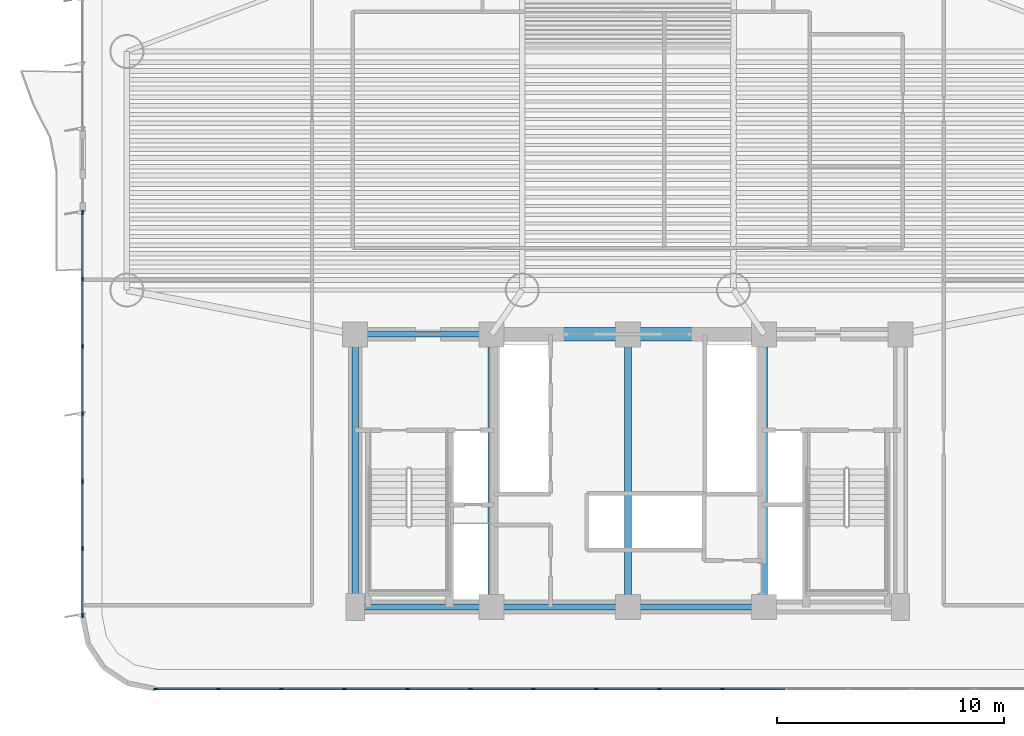
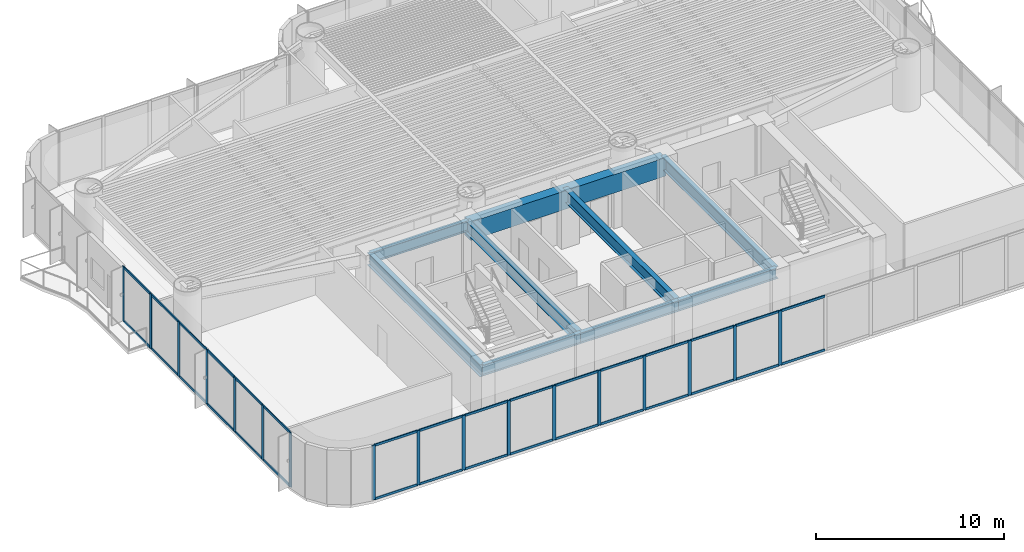
# One storey, part 2 of 16: 49 members, 9 beams, 2 elements without a shape of their own.
"""IFC4 building model written with IfcOpenShell, lengths in metres."""

from ifc_helpers import new_model, si_unit, direction, frame, origin, origin_2d, place, context, subcontext, project, spatial, rectangle, i_section, extrude, source, transform, mapped, material, layer, layer_set, material_profile, profile_set, type_object, element, aggregate, save


model = new_model("IFC4")

# Units and contexts
model_context = context("Model", 3, precision=1e-05, world=origin(), true_north=direction((0.0, 1.0)))
body_context = subcontext(model_context, "Body", "Model", "MODEL_VIEW")
ifc_project = project(units=[si_unit("LENGTHUNIT", "METRE"), si_unit("AREAUNIT", "SQUARE_METRE"), si_unit("VOLUMEUNIT", "CUBIC_METRE"), si_unit("PLANEANGLEUNIT", "RADIAN"), si_unit("MASSUNIT", "GRAM", prefix="KILO")], contexts=[model_context])

# Site, building, storey
site_placement = place(None, origin())
site = spatial("IfcSite", under=ifc_project, at=site_placement, CompositionType="ELEMENT")
building_placement = place(site_placement, origin())
building = spatial("IfcBuilding", under=site, at=building_placement, Name="Brelvock Crest Care Tower", CompositionType="ELEMENT")
storey_placement = place(building_placement, frame((0.0, 0.0, 61.02001953125)))
storey = spatial("IfcBuildingStorey", under=building, at=storey_placement, Name="L15", CompositionType="ELEMENT", Elevation=61.02001953125)

# Beams
ifc_material_1 = material(Name="Concrete S80 (80 MPa)", Category="concrete")
ifc_material_profile_1 = material_profile(ifc_material_1, rectangle(XDim=0.60009765625, YDim=1.199951171875, at=origin_2d()), Name="RC600x1200")
ifc_profile_set_1 = profile_set([ifc_material_profile_1], Name="Concrete S80 (80 MPa)")
beam_type_1 = type_object("IfcBeamType", Name="BM-LN1", PredefinedType="LINTEL", material=ifc_profile_set_1)
shared_shape_1 = source(origin(), body_context, "Body", "SweptSolid", [
    extrude(rectangle(XDim=0.60009765625, YDim=1.199951171875, at=origin_2d()), origin(), (0.0, 0.0, 1.0), 12.0),
])
beam_placement = place(storey_placement, frame((30.0, 18.0, 2.929931640625), z_axis=(1.0, 0.0, 0.0), x_axis=(0.0, 1.0, 0.0)))
element("IfcBeam", 1, at=beam_placement, inside=storey, type_object=beam_type_1, Name="L15 Core Coupling Lintel Beam", PredefinedType="LINTEL", context=body_context, shape_type="MappedRepresentation", body=[
    mapped(shared_shape_1, transform((0.0, 0.0, 0.0), x_axis=(1.0, 0.0, 0.0), y_axis=(0.0, 1.0, 0.0), z_axis=(0.0, 0.0, 1.0), scale=1.0)),
])
ifc_material_2 = material(Name="Steel Grade 350", Category="steel")
ifc_material_profile_2 = material_profile(ifc_material_2, i_section(OverallWidth=0.25, OverallDepth=0.699951171875, WebThickness=0.011962890625, FlangeThickness=0.02001953125, at=origin_2d()), Name="700WB150")
ifc_profile_set_2 = profile_set([ifc_material_profile_2], Name="Steel Grade 350")
beam_type_2 = type_object("IfcBeamType", Name="BM-G4", PredefinedType="BEAM", material=ifc_profile_set_2)
shared_shape_2 = source(origin(), body_context, "Body", "SweptSolid", [
    extrude(i_section(OverallWidth=0.25, OverallDepth=0.699951171875, WebThickness=0.011962890625, FlangeThickness=0.02001953125, at=origin_2d()), origin(), (0.0, 0.0, 1.0), 6.0),
])
for number, where, z_axis, x_axis, name in (
    (2, (24.0, 6.0, 3.179931640625), (1.0, 0.0, 0.0), (0.0, 1.0, 0.0), "BM-CORES-L15-1"),
    (3, (24.0, 18.0, 3.179931640625), (1.0, 0.0, 0.0), (0.0, 1.0, 0.0), "BM-COREN-L15-1"),
    (4, (30.0, 6.0, 3.179931640625), (1.0, 0.0, 0.0), (0.0, 1.0, 0.0), "BM-CORES-L15-2"),
    (5, (36.0, 6.0, 3.179931640625), (1.0, 0.0, 0.0), (0.0, 1.0, 0.0), "BM-CORES-L15-3"),
):
    element("IfcBeam", number, at=place(storey_placement, frame(where, z_axis=z_axis, x_axis=x_axis)), inside=storey, type_object=beam_type_2, Name=name, PredefinedType="BEAM", context=body_context, shape_type="MappedRepresentation", body=[
        mapped(shared_shape_2, transform((0.0, 0.0, 0.0), x_axis=(1.0, 0.0, 0.0), y_axis=(0.0, 1.0, 0.0), z_axis=(0.0, 0.0, 1.0), scale=1.0)),
    ])
ifc_material_profile_3 = material_profile(ifc_material_2, i_section(OverallWidth=0.300048828125, OverallDepth=0.800048828125, WebThickness=0.013916015625, FlangeThickness=0.02197265625, at=origin_2d()), Name="800WB192")
ifc_profile_set_3 = profile_set([ifc_material_profile_3], Name="Steel Grade 350")
beam_type_3 = type_object("IfcBeamType", Name="BM-G5", PredefinedType="BEAM", material=ifc_profile_set_3)
shared_shape_3 = source(origin(), body_context, "Body", "SweptSolid", [
    extrude(i_section(OverallWidth=0.300048828125, OverallDepth=0.800048828125, WebThickness=0.013916015625, FlangeThickness=0.02197265625, at=origin_2d()), origin(), (0.0, 0.0, 1.0), 12.0),
])
for number, where, z_axis, x_axis, name in (
    (6, (24.0, 6.0, 3.1298828125), (0.0, 1.0, 0.0), (-1.0, 0.0, 0.0), "BM-COREX-L15-1"),
    (7, (30.0, 6.0, 3.1298828125), (0.0, 1.0, 0.0), (-1.0, 0.0, 0.0), "BM-COREX-L15-2"),
    (8, (36.0, 6.0, 3.1298828125), (0.0, 1.0, 0.0), (-1.0, 0.0, 0.0), "BM-COREX-L15-3"),
    (9, (42.0, 6.0, 3.1298828125), (0.0, 1.0, 0.0), (-1.0, 0.0, 0.0), "BM-COREX-L15-4"),
):
    element("IfcBeam", number, at=place(storey_placement, frame(where, z_axis=z_axis, x_axis=x_axis)), inside=storey, type_object=beam_type_3, Name=name, PredefinedType="BEAM", context=body_context, shape_type="MappedRepresentation", body=[
        mapped(shared_shape_3, transform((0.0, 0.0, 0.0), x_axis=(1.0, 0.0, 0.0), y_axis=(0.0, 1.0, 0.0), z_axis=(0.0, 0.0, 1.0), scale=1.0)),
    ])

# Curtain wall, members
ifc_material_3 = material(Name="Dark Glass Double Glazed Low-E", Category="glass")
ifc_layer = layer(ifc_material_3, 0.195068359375, Name="CWS-2")
ifc_layer_set = layer_set([ifc_layer], Name="Dark Glass Double Glazed Low-E")
curtain_wall_type = type_object("IfcCurtainWallType", Name="CWS-2", PredefinedType="NOTDEFINED", material=ifc_layer_set)
curtain_wall_1_placement = place(storey_placement, origin())
curtain_wall_1 = element("IfcCurtainWall", 10, at=curtain_wall_1_placement, inside=storey, type_object=curtain_wall_type, Name="L15 Curtain Wall E08", PredefinedType="NOTDEFINED")
ifc_material_4 = material(Name="Aluminium 6063-T6", Category="aluminium")
ifc_material_profile_4 = material_profile(ifc_material_4, rectangle(XDim=0.06494140625, YDim=0.199951171875, at=origin_2d()), Name="ALU65x200")
ifc_profile_set_4 = profile_set([ifc_material_profile_4], Name="Aluminium 6063-T6")
member_type_1 = type_object("IfcMemberType", Name="CWM-1", PredefinedType="MULLION", material=ifc_profile_set_4)
shared_shape_4 = source(origin(), body_context, "Body", "SweptSolid", [
    extrude(rectangle(XDim=0.06494140625, YDim=0.199951171875, at=origin_2d()), origin(), (0.0, 0.0, 1.0), 3.530029296875),
])
member_1_placement = place(storey_placement, frame((40.159912109375, 2.39990234375, 0.0), z_axis=(0.0, 0.0, 1.0), x_axis=(0.0, -1.0, 0.0)))
member_1 = element("IfcMember", 11, at=member_1_placement, type_object=member_type_1, Name="CW-2 mullion 7", PredefinedType="MULLION", context=body_context, shape_type="MappedRepresentation", body=[
    mapped(shared_shape_4, transform((0.0, 0.0, 0.0), x_axis=(1.0, 0.0, 0.0), y_axis=(0.0, 1.0, 0.0), z_axis=(0.0, 0.0, 1.0), scale=1.0)),
])
member_2_placement = place(storey_placement, frame((37.38671875, 2.39990234375, 0.0), z_axis=(0.0, 0.0, 1.0), x_axis=(0.0, -1.0, 0.0)))
member_2 = element("IfcMember", 12, at=member_2_placement, type_object=member_type_1, Name="CW-2 mullion 8", PredefinedType="MULLION", context=body_context, shape_type="MappedRepresentation", body=[
    mapped(shared_shape_4, transform((0.0, 0.0, 0.0), x_axis=(1.0, 0.0, 0.0), y_axis=(0.0, 1.0, 0.0), z_axis=(0.0, 0.0, 1.0), scale=1.0)),
])
member_3_placement = place(storey_placement, frame((34.61328125, 2.39990234375, 0.0), z_axis=(0.0, 0.0, 1.0), x_axis=(0.0, -1.0, 0.0)))
member_3 = element("IfcMember", 13, at=member_3_placement, type_object=member_type_1, Name="CW-2 mullion 9", PredefinedType="MULLION", context=body_context, shape_type="MappedRepresentation", body=[
    mapped(shared_shape_4, transform((0.0, 0.0, 0.0), x_axis=(1.0, 0.0, 0.0), y_axis=(0.0, 1.0, 0.0), z_axis=(0.0, 0.0, 1.0), scale=1.0)),
])
member_4_placement = place(storey_placement, frame((31.840087890625, 2.39990234375, 0.0), z_axis=(0.0, 0.0, 1.0), x_axis=(0.0, -1.0, 0.0)))
member_4 = element("IfcMember", 14, at=member_4_placement, type_object=member_type_1, Name="CW-2 mullion 10", PredefinedType="MULLION", context=body_context, shape_type="MappedRepresentation", body=[
    mapped(shared_shape_4, transform((0.0, 0.0, 0.0), x_axis=(1.0, 0.0, 0.0), y_axis=(0.0, 1.0, 0.0), z_axis=(0.0, 0.0, 1.0), scale=1.0)),
])
member_5_placement = place(storey_placement, frame((29.066650390625, 2.39990234375, 0.0), z_axis=(0.0, 0.0, 1.0), x_axis=(0.0, -1.0, 0.0)))
member_5 = element("IfcMember", 15, at=member_5_placement, type_object=member_type_1, Name="CW-2 mullion 11", PredefinedType="MULLION", context=body_context, shape_type="MappedRepresentation", body=[
    mapped(shared_shape_4, transform((0.0, 0.0, 0.0), x_axis=(1.0, 0.0, 0.0), y_axis=(0.0, 1.0, 0.0), z_axis=(0.0, 0.0, 1.0), scale=1.0)),
])
member_6_placement = place(storey_placement, frame((26.293212890625, 2.39990234375, 0.0), z_axis=(0.0, 0.0, 1.0), x_axis=(0.0, -1.0, 0.0)))
member_6 = element("IfcMember", 16, at=member_6_placement, type_object=member_type_1, Name="CW-2 mullion 12", PredefinedType="MULLION", context=body_context, shape_type="MappedRepresentation", body=[
    mapped(shared_shape_4, transform((0.0, 0.0, 0.0), x_axis=(1.0, 0.0, 0.0), y_axis=(0.0, 1.0, 0.0), z_axis=(0.0, 0.0, 1.0), scale=1.0)),
])
member_7_placement = place(storey_placement, frame((23.52001953125, 2.39990234375, 0.0), z_axis=(0.0, 0.0, 1.0), x_axis=(0.0, -1.0, 0.0)))
member_7 = element("IfcMember", 17, at=member_7_placement, type_object=member_type_1, Name="CW-2 mullion 13", PredefinedType="MULLION", context=body_context, shape_type="MappedRepresentation", body=[
    mapped(shared_shape_4, transform((0.0, 0.0, 0.0), x_axis=(1.0, 0.0, 0.0), y_axis=(0.0, 1.0, 0.0), z_axis=(0.0, 0.0, 1.0), scale=1.0)),
])
member_8_placement = place(storey_placement, frame((20.74658203125, 2.39990234375, 0.0), z_axis=(0.0, 0.0, 1.0), x_axis=(0.0, -1.0, 0.0)))
member_8 = element("IfcMember", 18, at=member_8_placement, type_object=member_type_1, Name="CW-2 mullion 14", PredefinedType="MULLION", context=body_context, shape_type="MappedRepresentation", body=[
    mapped(shared_shape_4, transform((0.0, 0.0, 0.0), x_axis=(1.0, 0.0, 0.0), y_axis=(0.0, 1.0, 0.0), z_axis=(0.0, 0.0, 1.0), scale=1.0)),
])
member_9_placement = place(storey_placement, frame((17.973388671875, 2.39990234375, 0.0), z_axis=(0.0, 0.0, 1.0), x_axis=(0.0, -1.0, 0.0)))
member_9 = element("IfcMember", 19, at=member_9_placement, type_object=member_type_1, Name="CW-2 mullion 15", PredefinedType="MULLION", context=body_context, shape_type="MappedRepresentation", body=[
    mapped(shared_shape_4, transform((0.0, 0.0, 0.0), x_axis=(1.0, 0.0, 0.0), y_axis=(0.0, 1.0, 0.0), z_axis=(0.0, 0.0, 1.0), scale=1.0)),
])
member_10_placement = place(storey_placement, frame((15.232421875, 2.39990234375, 0.0), z_axis=(0.0, 0.0, 1.0), x_axis=(0.0, -1.0, 0.0)))
member_10 = element("IfcMember", 20, at=member_10_placement, type_object=member_type_1, Name="CW-2 mullion 16", PredefinedType="MULLION", context=body_context, shape_type="MappedRepresentation", body=[
    mapped(shared_shape_4, transform((0.0, 0.0, 0.0), x_axis=(1.0, 0.0, 0.0), y_axis=(0.0, 1.0, 0.0), z_axis=(0.0, 0.0, 1.0), scale=1.0)),
])

curtain_wall_2_placement = place(storey_placement, origin())
curtain_wall_2 = element("IfcCurtainWall", 21, at=curtain_wall_2_placement, inside=storey, type_object=curtain_wall_type, Name="L15 Curtain Wall E13A", PredefinedType="NOTDEFINED")
member_11_placement = place(storey_placement, frame((12.0, 5.632568359375, 0.0), z_axis=(0.0, 0.0, 1.0), x_axis=(-1.0, 0.0, 0.0)))
member_11 = element("IfcMember", 22, at=member_11_placement, type_object=member_type_1, Name="CW-2 mullion 1", PredefinedType="MULLION", context=body_context, shape_type="MappedRepresentation", body=[
    mapped(shared_shape_4, transform((0.0, 0.0, 0.0), x_axis=(1.0, 0.0, 0.0), y_axis=(0.0, 1.0, 0.0), z_axis=(0.0, 0.0, 1.0), scale=1.0)),
])
member_12_placement = place(storey_placement, frame((12.0, 8.566650390625, 0.0), z_axis=(0.0, 0.0, 1.0), x_axis=(-1.0, 0.0, 0.0)))
member_12 = element("IfcMember", 23, at=member_12_placement, type_object=member_type_1, Name="CW-2 mullion 2", PredefinedType="MULLION", context=body_context, shape_type="MappedRepresentation", body=[
    mapped(shared_shape_4, transform((0.0, 0.0, 0.0), x_axis=(1.0, 0.0, 0.0), y_axis=(0.0, 1.0, 0.0), z_axis=(0.0, 0.0, 1.0), scale=1.0)),
])
member_13_placement = place(storey_placement, frame((12.0, 11.533447265625, 0.0), z_axis=(0.0, 0.0, 1.0), x_axis=(-1.0, 0.0, 0.0)))
member_13 = element("IfcMember", 24, at=member_13_placement, type_object=member_type_1, Name="CW-2 mullion 3", PredefinedType="MULLION", context=body_context, shape_type="MappedRepresentation", body=[
    mapped(shared_shape_4, transform((0.0, 0.0, 0.0), x_axis=(1.0, 0.0, 0.0), y_axis=(0.0, 1.0, 0.0), z_axis=(0.0, 0.0, 1.0), scale=1.0)),
])
member_14_placement = place(storey_placement, frame((12.0, 14.5, 0.0), z_axis=(0.0, 0.0, 1.0), x_axis=(-1.0, 0.0, 0.0)))
member_14 = element("IfcMember", 25, at=member_14_placement, type_object=member_type_1, Name="CW-2 mullion 4", PredefinedType="MULLION", context=body_context, shape_type="MappedRepresentation", body=[
    mapped(shared_shape_4, transform((0.0, 0.0, 0.0), x_axis=(1.0, 0.0, 0.0), y_axis=(0.0, 1.0, 0.0), z_axis=(0.0, 0.0, 1.0), scale=1.0)),
])
member_15_placement = place(storey_placement, frame((12.0, 17.466552734375, 0.0), z_axis=(0.0, 0.0, 1.0), x_axis=(-1.0, 0.0, 0.0)))
member_15 = element("IfcMember", 26, at=member_15_placement, type_object=member_type_1, Name="CW-2 mullion 5", PredefinedType="MULLION", context=body_context, shape_type="MappedRepresentation", body=[
    mapped(shared_shape_4, transform((0.0, 0.0, 0.0), x_axis=(1.0, 0.0, 0.0), y_axis=(0.0, 1.0, 0.0), z_axis=(0.0, 0.0, 1.0), scale=1.0)),
])
member_16_placement = place(storey_placement, frame((12.0, 20.433349609375, 0.0), z_axis=(0.0, 0.0, 1.0), x_axis=(-1.0, 0.0, 0.0)))
member_16 = element("IfcMember", 27, at=member_16_placement, type_object=member_type_1, Name="CW-2 mullion 6", PredefinedType="MULLION", context=body_context, shape_type="MappedRepresentation", body=[
    mapped(shared_shape_4, transform((0.0, 0.0, 0.0), x_axis=(1.0, 0.0, 0.0), y_axis=(0.0, 1.0, 0.0), z_axis=(0.0, 0.0, 1.0), scale=1.0)),
])
member_17_placement = place(storey_placement, frame((12.0, 23.367431640625, 0.0), z_axis=(0.0, 0.0, 1.0), x_axis=(-1.0, 0.0, 0.0)))
member_17 = element("IfcMember", 28, at=member_17_placement, type_object=member_type_1, Name="CW-2 mullion 7", PredefinedType="MULLION", context=body_context, shape_type="MappedRepresentation", body=[
    mapped(shared_shape_4, transform((0.0, 0.0, 0.0), x_axis=(1.0, 0.0, 0.0), y_axis=(0.0, 1.0, 0.0), z_axis=(0.0, 0.0, 1.0), scale=1.0)),
])

# Member
ifc_material_profile_5 = material_profile(ifc_material_4, rectangle(XDim=0.06494140625, YDim=0.14990234375, at=origin_2d()), Name="ALU65x150")
ifc_profile_set_5 = profile_set([ifc_material_profile_5], Name="Aluminium 6063-T6")
member_type_2 = type_object("IfcMemberType", Name="CWT-1", PredefinedType="USERDEFINED", material=ifc_profile_set_5)
shared_shape_5 = source(origin(), body_context, "Body", "SweptSolid", [
    extrude(rectangle(XDim=0.06494140625, YDim=0.14990234375, at=origin_2d()), origin(), (0.0, 0.0, 1.0), 2.676025390625),
])
member_18_placement = place(storey_placement, frame((17.94091796875, 2.39990234375, 0.032470703125), z_axis=(-1.0, 0.0, 0.0), x_axis=(0.0, -1.0, 0.0)))
member_18 = element("IfcMember", 29, at=member_18_placement, type_object=member_type_2, Name="CW-2 transom 15.1", ObjectType="TRANSOM", PredefinedType="USERDEFINED", context=body_context, shape_type="MappedRepresentation", body=[
    mapped(shared_shape_5, transform((0.0, 0.0, 0.0), x_axis=(1.0, 0.0, 0.0), y_axis=(0.0, 1.0, 0.0), z_axis=(0.0, 0.0, 1.0), scale=1.0)),
])

member_19_placement = place(storey_placement, frame((17.94091796875, 2.39990234375, 3.49755859375), z_axis=(-1.0, 0.0, 0.0), x_axis=(0.0, -1.0, 0.0)))
member_19 = element("IfcMember", 30, at=member_19_placement, type_object=member_type_2, Name="CW-2 transom 15.2", ObjectType="TRANSOM", PredefinedType="USERDEFINED", context=body_context, shape_type="MappedRepresentation", body=[
    mapped(shared_shape_5, transform((0.0, 0.0, 0.0), x_axis=(1.0, 0.0, 0.0), y_axis=(0.0, 1.0, 0.0), z_axis=(0.0, 0.0, 1.0), scale=1.0)),
])

shared_shape_6 = source(origin(), body_context, "Body", "SweptSolid", [
    extrude(rectangle(XDim=0.06494140625, YDim=0.14990234375, at=origin_2d()), origin(), (0.0, 0.0, 1.0), 2.708251953125),
])
member_20_placement = place(storey_placement, frame((40.12744140625, 2.39990234375, 0.032470703125), z_axis=(-1.0, 0.0, 0.0), x_axis=(0.0, -1.0, 0.0)))
member_20 = element("IfcMember", 31, at=member_20_placement, type_object=member_type_2, Name="CW-2 transom 7.1", ObjectType="TRANSOM", PredefinedType="USERDEFINED", context=body_context, shape_type="MappedRepresentation", body=[
    mapped(shared_shape_6, transform((0.0, 0.0, 0.0), x_axis=(1.0, 0.0, 0.0), y_axis=(0.0, 1.0, 0.0), z_axis=(0.0, 0.0, 1.0), scale=1.0)),
])

member_21_placement = place(storey_placement, frame((40.12744140625, 2.39990234375, 3.49755859375), z_axis=(-1.0, 0.0, 0.0), x_axis=(0.0, -1.0, 0.0)))
member_21 = element("IfcMember", 32, at=member_21_placement, type_object=member_type_2, Name="CW-2 transom 7.2", ObjectType="TRANSOM", PredefinedType="USERDEFINED", context=body_context, shape_type="MappedRepresentation", body=[
    mapped(shared_shape_6, transform((0.0, 0.0, 0.0), x_axis=(1.0, 0.0, 0.0), y_axis=(0.0, 1.0, 0.0), z_axis=(0.0, 0.0, 1.0), scale=1.0)),
])

member_22_placement = place(storey_placement, frame((34.580810546875, 2.39990234375, 0.032470703125), z_axis=(-1.0, 0.0, 0.0), x_axis=(0.0, -1.0, 0.0)))
member_22 = element("IfcMember", 33, at=member_22_placement, type_object=member_type_2, Name="CW-2 transom 9.1", ObjectType="TRANSOM", PredefinedType="USERDEFINED", context=body_context, shape_type="MappedRepresentation", body=[
    mapped(shared_shape_6, transform((0.0, 0.0, 0.0), x_axis=(1.0, 0.0, 0.0), y_axis=(0.0, 1.0, 0.0), z_axis=(0.0, 0.0, 1.0), scale=1.0)),
])

member_23_placement = place(storey_placement, frame((34.580810546875, 2.39990234375, 3.49755859375), z_axis=(-1.0, 0.0, 0.0), x_axis=(0.0, -1.0, 0.0)))
member_23 = element("IfcMember", 34, at=member_23_placement, type_object=member_type_2, Name="CW-2 transom 9.2", ObjectType="TRANSOM", PredefinedType="USERDEFINED", context=body_context, shape_type="MappedRepresentation", body=[
    mapped(shared_shape_6, transform((0.0, 0.0, 0.0), x_axis=(1.0, 0.0, 0.0), y_axis=(0.0, 1.0, 0.0), z_axis=(0.0, 0.0, 1.0), scale=1.0)),
])

member_24_placement = place(storey_placement, frame((29.0341796875, 2.39990234375, 0.032470703125), z_axis=(-1.0, 0.0, 0.0), x_axis=(0.0, -1.0, 0.0)))
member_24 = element("IfcMember", 35, at=member_24_placement, type_object=member_type_2, Name="CW-2 transom 11.1", ObjectType="TRANSOM", PredefinedType="USERDEFINED", context=body_context, shape_type="MappedRepresentation", body=[
    mapped(shared_shape_6, transform((0.0, 0.0, 0.0), x_axis=(1.0, 0.0, 0.0), y_axis=(0.0, 1.0, 0.0), z_axis=(0.0, 0.0, 1.0), scale=1.0)),
])

member_25_placement = place(storey_placement, frame((29.0341796875, 2.39990234375, 3.49755859375), z_axis=(-1.0, 0.0, 0.0), x_axis=(0.0, -1.0, 0.0)))
member_25 = element("IfcMember", 36, at=member_25_placement, type_object=member_type_2, Name="CW-2 transom 11.2", ObjectType="TRANSOM", PredefinedType="USERDEFINED", context=body_context, shape_type="MappedRepresentation", body=[
    mapped(shared_shape_6, transform((0.0, 0.0, 0.0), x_axis=(1.0, 0.0, 0.0), y_axis=(0.0, 1.0, 0.0), z_axis=(0.0, 0.0, 1.0), scale=1.0)),
])

member_26_placement = place(storey_placement, frame((26.2607421875, 2.39990234375, 0.032470703125), z_axis=(-1.0, 0.0, 0.0), x_axis=(0.0, -1.0, 0.0)))
member_26 = element("IfcMember", 37, at=member_26_placement, type_object=member_type_2, Name="CW-2 transom 12.1", ObjectType="TRANSOM", PredefinedType="USERDEFINED", context=body_context, shape_type="MappedRepresentation", body=[
    mapped(shared_shape_6, transform((0.0, 0.0, 0.0), x_axis=(1.0, 0.0, 0.0), y_axis=(0.0, 1.0, 0.0), z_axis=(0.0, 0.0, 1.0), scale=1.0)),
])

member_27_placement = place(storey_placement, frame((26.2607421875, 2.39990234375, 3.49755859375), z_axis=(-1.0, 0.0, 0.0), x_axis=(0.0, -1.0, 0.0)))
member_27 = element("IfcMember", 38, at=member_27_placement, type_object=member_type_2, Name="CW-2 transom 12.2", ObjectType="TRANSOM", PredefinedType="USERDEFINED", context=body_context, shape_type="MappedRepresentation", body=[
    mapped(shared_shape_6, transform((0.0, 0.0, 0.0), x_axis=(1.0, 0.0, 0.0), y_axis=(0.0, 1.0, 0.0), z_axis=(0.0, 0.0, 1.0), scale=1.0)),
])

member_28_placement = place(storey_placement, frame((20.714111328125, 2.39990234375, 0.032470703125), z_axis=(-1.0, 0.0, 0.0), x_axis=(0.0, -1.0, 0.0)))
member_28 = element("IfcMember", 39, at=member_28_placement, type_object=member_type_2, Name="CW-2 transom 14.1", ObjectType="TRANSOM", PredefinedType="USERDEFINED", context=body_context, shape_type="MappedRepresentation", body=[
    mapped(shared_shape_6, transform((0.0, 0.0, 0.0), x_axis=(1.0, 0.0, 0.0), y_axis=(0.0, 1.0, 0.0), z_axis=(0.0, 0.0, 1.0), scale=1.0)),
])

member_29_placement = place(storey_placement, frame((20.714111328125, 2.39990234375, 3.49755859375), z_axis=(-1.0, 0.0, 0.0), x_axis=(0.0, -1.0, 0.0)))
member_29 = element("IfcMember", 40, at=member_29_placement, type_object=member_type_2, Name="CW-2 transom 14.2", ObjectType="TRANSOM", PredefinedType="USERDEFINED", context=body_context, shape_type="MappedRepresentation", body=[
    mapped(shared_shape_6, transform((0.0, 0.0, 0.0), x_axis=(1.0, 0.0, 0.0), y_axis=(0.0, 1.0, 0.0), z_axis=(0.0, 0.0, 1.0), scale=1.0)),
])

shared_shape_7 = source(origin(), body_context, "Body", "SweptSolid", [
    extrude(rectangle(XDim=0.06494140625, YDim=0.14990234375, at=origin_2d()), origin(), (0.0, 0.0, 1.0), 2.70849609375),
])
member_30_placement = place(storey_placement, frame((42.90087890625, 2.39990234375, 0.032470703125), z_axis=(-1.0, 0.0, 0.0), x_axis=(0.0, -1.0, 0.0)))
member_30 = element("IfcMember", 41, at=member_30_placement, type_object=member_type_2, Name="CW-2 transom 6.1", ObjectType="TRANSOM", PredefinedType="USERDEFINED", context=body_context, shape_type="MappedRepresentation", body=[
    mapped(shared_shape_7, transform((0.0, 0.0, 0.0), x_axis=(1.0, 0.0, 0.0), y_axis=(0.0, 1.0, 0.0), z_axis=(0.0, 0.0, 1.0), scale=1.0)),
])

member_31_placement = place(storey_placement, frame((42.90087890625, 2.39990234375, 3.49755859375), z_axis=(-1.0, 0.0, 0.0), x_axis=(0.0, -1.0, 0.0)))
member_31 = element("IfcMember", 42, at=member_31_placement, type_object=member_type_2, Name="CW-2 transom 6.2", ObjectType="TRANSOM", PredefinedType="USERDEFINED", context=body_context, shape_type="MappedRepresentation", body=[
    mapped(shared_shape_7, transform((0.0, 0.0, 0.0), x_axis=(1.0, 0.0, 0.0), y_axis=(0.0, 1.0, 0.0), z_axis=(0.0, 0.0, 1.0), scale=1.0)),
])

member_32_placement = place(storey_placement, frame((37.354248046875, 2.39990234375, 0.032470703125), z_axis=(-1.0, 0.0, 0.0), x_axis=(0.0, -1.0, 0.0)))
member_32 = element("IfcMember", 43, at=member_32_placement, type_object=member_type_2, Name="CW-2 transom 8.1", ObjectType="TRANSOM", PredefinedType="USERDEFINED", context=body_context, shape_type="MappedRepresentation", body=[
    mapped(shared_shape_7, transform((0.0, 0.0, 0.0), x_axis=(1.0, 0.0, 0.0), y_axis=(0.0, 1.0, 0.0), z_axis=(0.0, 0.0, 1.0), scale=1.0)),
])

member_33_placement = place(storey_placement, frame((37.354248046875, 2.39990234375, 3.49755859375), z_axis=(-1.0, 0.0, 0.0), x_axis=(0.0, -1.0, 0.0)))
member_33 = element("IfcMember", 44, at=member_33_placement, type_object=member_type_2, Name="CW-2 transom 8.2", ObjectType="TRANSOM", PredefinedType="USERDEFINED", context=body_context, shape_type="MappedRepresentation", body=[
    mapped(shared_shape_7, transform((0.0, 0.0, 0.0), x_axis=(1.0, 0.0, 0.0), y_axis=(0.0, 1.0, 0.0), z_axis=(0.0, 0.0, 1.0), scale=1.0)),
])

member_34_placement = place(storey_placement, frame((31.8076171875, 2.39990234375, 0.032470703125), z_axis=(-1.0, 0.0, 0.0), x_axis=(0.0, -1.0, 0.0)))
member_34 = element("IfcMember", 45, at=member_34_placement, type_object=member_type_2, Name="CW-2 transom 10.1", ObjectType="TRANSOM", PredefinedType="USERDEFINED", context=body_context, shape_type="MappedRepresentation", body=[
    mapped(shared_shape_7, transform((0.0, 0.0, 0.0), x_axis=(1.0, 0.0, 0.0), y_axis=(0.0, 1.0, 0.0), z_axis=(0.0, 0.0, 1.0), scale=1.0)),
])

member_35_placement = place(storey_placement, frame((31.8076171875, 2.39990234375, 3.49755859375), z_axis=(-1.0, 0.0, 0.0), x_axis=(0.0, -1.0, 0.0)))
member_35 = element("IfcMember", 46, at=member_35_placement, type_object=member_type_2, Name="CW-2 transom 10.2", ObjectType="TRANSOM", PredefinedType="USERDEFINED", context=body_context, shape_type="MappedRepresentation", body=[
    mapped(shared_shape_7, transform((0.0, 0.0, 0.0), x_axis=(1.0, 0.0, 0.0), y_axis=(0.0, 1.0, 0.0), z_axis=(0.0, 0.0, 1.0), scale=1.0)),
])

member_36_placement = place(storey_placement, frame((23.487548828125, 2.39990234375, 0.032470703125), z_axis=(-1.0, 0.0, 0.0), x_axis=(0.0, -1.0, 0.0)))
member_36 = element("IfcMember", 47, at=member_36_placement, type_object=member_type_2, Name="CW-2 transom 13.1", ObjectType="TRANSOM", PredefinedType="USERDEFINED", context=body_context, shape_type="MappedRepresentation", body=[
    mapped(shared_shape_7, transform((0.0, 0.0, 0.0), x_axis=(1.0, 0.0, 0.0), y_axis=(0.0, 1.0, 0.0), z_axis=(0.0, 0.0, 1.0), scale=1.0)),
])

member_37_placement = place(storey_placement, frame((23.487548828125, 2.39990234375, 3.49755859375), z_axis=(-1.0, 0.0, 0.0), x_axis=(0.0, -1.0, 0.0)))
member_37 = element("IfcMember", 48, at=member_37_placement, type_object=member_type_2, Name="CW-2 transom 13.2", ObjectType="TRANSOM", PredefinedType="USERDEFINED", context=body_context, shape_type="MappedRepresentation", body=[
    mapped(shared_shape_7, transform((0.0, 0.0, 0.0), x_axis=(1.0, 0.0, 0.0), y_axis=(0.0, 1.0, 0.0), z_axis=(0.0, 0.0, 1.0), scale=1.0)),
])

aggregate(curtain_wall_1, [member_1, member_2, member_3, member_4, member_5, member_6, member_7, member_8, member_9, member_10, member_30, member_31, member_20, member_21, member_32, member_33, member_22, member_23, member_34, member_35, member_24, member_25, member_26, member_27, member_36, member_37, member_28, member_29, member_18, member_19])

shared_shape_8 = source(origin(), body_context, "Body", "SweptSolid", [
    extrude(rectangle(XDim=0.06494140625, YDim=0.14990234375, at=origin_2d()), origin(), (0.0, 0.0, 1.0), 2.869140625),
])
member_38_placement = place(storey_placement, frame((12.0, 5.6650390625, 0.032470703125), z_axis=(0.0, 1.0, 0.0), x_axis=(-1.0, 0.0, 0.0)))
member_38 = element("IfcMember", 49, at=member_38_placement, type_object=member_type_2, Name="CW-2 transom 1.1", ObjectType="TRANSOM", PredefinedType="USERDEFINED", context=body_context, shape_type="MappedRepresentation", body=[
    mapped(shared_shape_8, transform((0.0, 0.0, 0.0), x_axis=(1.0, 0.0, 0.0), y_axis=(0.0, 1.0, 0.0), z_axis=(0.0, 0.0, 1.0), scale=1.0)),
])

member_39_placement = place(storey_placement, frame((12.0, 5.6650390625, 3.49755859375), z_axis=(0.0, 1.0, 0.0), x_axis=(-1.0, 0.0, 0.0)))
member_39 = element("IfcMember", 50, at=member_39_placement, type_object=member_type_2, Name="CW-2 transom 1.2", ObjectType="TRANSOM", PredefinedType="USERDEFINED", context=body_context, shape_type="MappedRepresentation", body=[
    mapped(shared_shape_8, transform((0.0, 0.0, 0.0), x_axis=(1.0, 0.0, 0.0), y_axis=(0.0, 1.0, 0.0), z_axis=(0.0, 0.0, 1.0), scale=1.0)),
])

member_40_placement = place(storey_placement, frame((12.0, 20.4658203125, 0.032470703125), z_axis=(0.0, 1.0, 0.0), x_axis=(-1.0, 0.0, 0.0)))
member_40 = element("IfcMember", 51, at=member_40_placement, type_object=member_type_2, Name="CW-2 transom 6.1", ObjectType="TRANSOM", PredefinedType="USERDEFINED", context=body_context, shape_type="MappedRepresentation", body=[
    mapped(shared_shape_8, transform((0.0, 0.0, 0.0), x_axis=(1.0, 0.0, 0.0), y_axis=(0.0, 1.0, 0.0), z_axis=(0.0, 0.0, 1.0), scale=1.0)),
])

member_41_placement = place(storey_placement, frame((12.0, 20.4658203125, 3.49755859375), z_axis=(0.0, 1.0, 0.0), x_axis=(-1.0, 0.0, 0.0)))
member_41 = element("IfcMember", 52, at=member_41_placement, type_object=member_type_2, Name="CW-2 transom 6.2", ObjectType="TRANSOM", PredefinedType="USERDEFINED", context=body_context, shape_type="MappedRepresentation", body=[
    mapped(shared_shape_8, transform((0.0, 0.0, 0.0), x_axis=(1.0, 0.0, 0.0), y_axis=(0.0, 1.0, 0.0), z_axis=(0.0, 0.0, 1.0), scale=1.0)),
])

shared_shape_9 = source(origin(), body_context, "Body", "SweptSolid", [
    extrude(rectangle(XDim=0.06494140625, YDim=0.14990234375, at=origin_2d()), origin(), (0.0, 0.0, 1.0), 2.901611328125),
])
member_42_placement = place(storey_placement, frame((12.0, 8.59912109375, 0.032470703125), z_axis=(0.0, 1.0, 0.0), x_axis=(-1.0, 0.0, 0.0)))
member_42 = element("IfcMember", 53, at=member_42_placement, type_object=member_type_2, Name="CW-2 transom 2.1", ObjectType="TRANSOM", PredefinedType="USERDEFINED", context=body_context, shape_type="MappedRepresentation", body=[
    mapped(shared_shape_9, transform((0.0, 0.0, 0.0), x_axis=(1.0, 0.0, 0.0), y_axis=(0.0, 1.0, 0.0), z_axis=(0.0, 0.0, 1.0), scale=1.0)),
])

member_43_placement = place(storey_placement, frame((12.0, 8.59912109375, 3.49755859375), z_axis=(0.0, 1.0, 0.0), x_axis=(-1.0, 0.0, 0.0)))
member_43 = element("IfcMember", 54, at=member_43_placement, type_object=member_type_2, Name="CW-2 transom 2.2", ObjectType="TRANSOM", PredefinedType="USERDEFINED", context=body_context, shape_type="MappedRepresentation", body=[
    mapped(shared_shape_9, transform((0.0, 0.0, 0.0), x_axis=(1.0, 0.0, 0.0), y_axis=(0.0, 1.0, 0.0), z_axis=(0.0, 0.0, 1.0), scale=1.0)),
])

member_44_placement = place(storey_placement, frame((12.0, 11.56591796875, 0.032470703125), z_axis=(0.0, 1.0, 0.0), x_axis=(-1.0, 0.0, 0.0)))
member_44 = element("IfcMember", 55, at=member_44_placement, type_object=member_type_2, Name="CW-2 transom 3.1", ObjectType="TRANSOM", PredefinedType="USERDEFINED", context=body_context, shape_type="MappedRepresentation", body=[
    mapped(shared_shape_9, transform((0.0, 0.0, 0.0), x_axis=(1.0, 0.0, 0.0), y_axis=(0.0, 1.0, 0.0), z_axis=(0.0, 0.0, 1.0), scale=1.0)),
])

member_45_placement = place(storey_placement, frame((12.0, 11.56591796875, 3.49755859375), z_axis=(0.0, 1.0, 0.0), x_axis=(-1.0, 0.0, 0.0)))
member_45 = element("IfcMember", 56, at=member_45_placement, type_object=member_type_2, Name="CW-2 transom 3.2", ObjectType="TRANSOM", PredefinedType="USERDEFINED", context=body_context, shape_type="MappedRepresentation", body=[
    mapped(shared_shape_9, transform((0.0, 0.0, 0.0), x_axis=(1.0, 0.0, 0.0), y_axis=(0.0, 1.0, 0.0), z_axis=(0.0, 0.0, 1.0), scale=1.0)),
])

member_46_placement = place(storey_placement, frame((12.0, 14.532470703125, 0.032470703125), z_axis=(0.0, 1.0, 0.0), x_axis=(-1.0, 0.0, 0.0)))
member_46 = element("IfcMember", 57, at=member_46_placement, type_object=member_type_2, Name="CW-2 transom 4.1", ObjectType="TRANSOM", PredefinedType="USERDEFINED", context=body_context, shape_type="MappedRepresentation", body=[
    mapped(shared_shape_9, transform((0.0, 0.0, 0.0), x_axis=(1.0, 0.0, 0.0), y_axis=(0.0, 1.0, 0.0), z_axis=(0.0, 0.0, 1.0), scale=1.0)),
])

member_47_placement = place(storey_placement, frame((12.0, 14.532470703125, 3.49755859375), z_axis=(0.0, 1.0, 0.0), x_axis=(-1.0, 0.0, 0.0)))
member_47 = element("IfcMember", 58, at=member_47_placement, type_object=member_type_2, Name="CW-2 transom 4.2", ObjectType="TRANSOM", PredefinedType="USERDEFINED", context=body_context, shape_type="MappedRepresentation", body=[
    mapped(shared_shape_9, transform((0.0, 0.0, 0.0), x_axis=(1.0, 0.0, 0.0), y_axis=(0.0, 1.0, 0.0), z_axis=(0.0, 0.0, 1.0), scale=1.0)),
])

member_48_placement = place(storey_placement, frame((12.0, 17.499267578125, 0.032470703125), z_axis=(0.0, 1.0, 0.0), x_axis=(-1.0, 0.0, 0.0)))
member_48 = element("IfcMember", 59, at=member_48_placement, type_object=member_type_2, Name="CW-2 transom 5.1", ObjectType="TRANSOM", PredefinedType="USERDEFINED", context=body_context, shape_type="MappedRepresentation", body=[
    mapped(shared_shape_9, transform((0.0, 0.0, 0.0), x_axis=(1.0, 0.0, 0.0), y_axis=(0.0, 1.0, 0.0), z_axis=(0.0, 0.0, 1.0), scale=1.0)),
])

member_49_placement = place(storey_placement, frame((12.0, 17.499267578125, 3.49755859375), z_axis=(0.0, 1.0, 0.0), x_axis=(-1.0, 0.0, 0.0)))
member_49 = element("IfcMember", 60, at=member_49_placement, type_object=member_type_2, Name="CW-2 transom 5.2", ObjectType="TRANSOM", PredefinedType="USERDEFINED", context=body_context, shape_type="MappedRepresentation", body=[
    mapped(shared_shape_9, transform((0.0, 0.0, 0.0), x_axis=(1.0, 0.0, 0.0), y_axis=(0.0, 1.0, 0.0), z_axis=(0.0, 0.0, 1.0), scale=1.0)),
])

aggregate(curtain_wall_2, [member_11, member_12, member_13, member_14, member_15, member_16, member_17, member_38, member_39, member_42, member_43, member_44, member_45, member_46, member_47, member_48, member_49, member_40, member_41])

save(model, "model.ifc")
